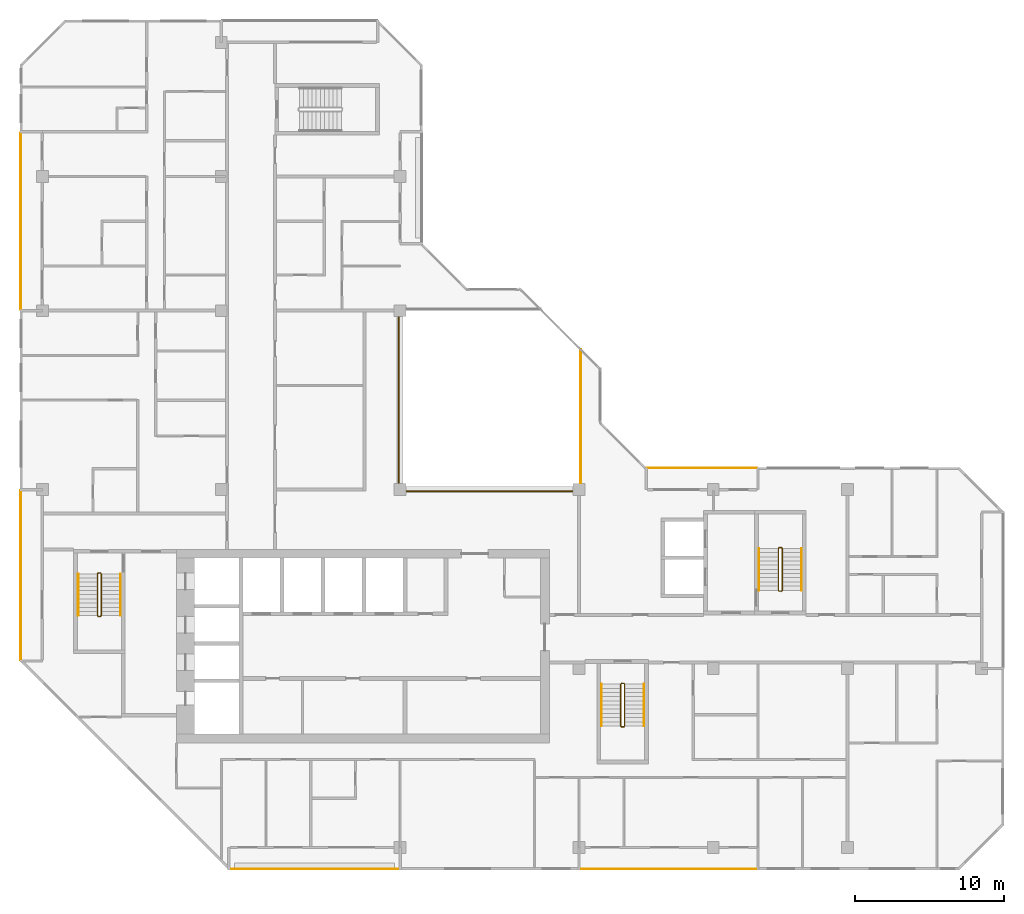
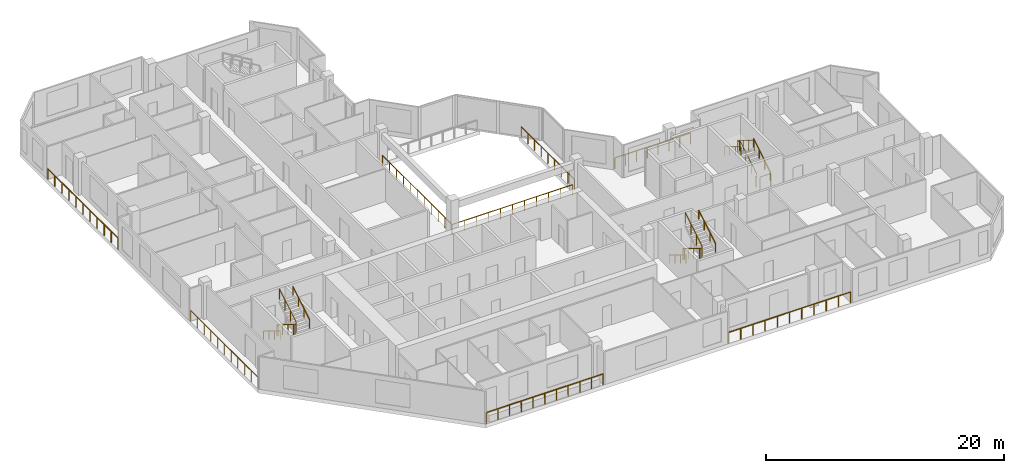
# One storey, part 12 of 13: 16 railings.
"""IFC4 building model written with IfcOpenShell, lengths in metres."""

from ifc_helpers import new_model, si_unit, direction, frame, origin, origin_2d, place, context, subcontext, project, spatial, rectangle, extrude, material, type_object, element, save


model = new_model("IFC4")

# Units and contexts
model_context = context("Model", 3, precision=1e-05, world=origin(), true_north=direction((0.0, 1.0)))
body_context = subcontext(model_context, "Body", "Model", "MODEL_VIEW")
ifc_project = project(units=[si_unit("LENGTHUNIT", "METRE"), si_unit("AREAUNIT", "SQUARE_METRE"), si_unit("VOLUMEUNIT", "CUBIC_METRE"), si_unit("PLANEANGLEUNIT", "RADIAN"), si_unit("MASSUNIT", "GRAM", prefix="KILO")], contexts=[model_context])

# Site, building, storey
site_placement = place(None, origin())
site = spatial("IfcSite", under=ifc_project, at=site_placement, CompositionType="ELEMENT")
building_placement = place(site_placement, origin())
building = spatial("IfcBuilding", under=site, at=building_placement, Name="Chenar Terraces", CompositionType="ELEMENT")
storey_placement = place(building_placement, frame((0.0, 0.0, 314.64990234375)))
storey = spatial("IfcBuildingStorey", under=building, at=storey_placement, Name="L74", CompositionType="ELEMENT", Elevation=314.64990234375)

# Railings
ifc_material_1 = material(Name="Powder-coated steel", Category="steel")
railing_type_1 = type_object("IfcRailingType", Name="Guard 1100 steel rail with glass infill", PredefinedType="GUARDRAIL", material=ifc_material_1)
railing_1_placement = place(storey_placement, frame((23.89990234375, 35.60009765625, 0.0)))
element("IfcRailing", 1, at=railing_1_placement, inside=storey, type_object=railing_type_1, Name="Guard L74-1", PredefinedType="GUARDRAIL", context=body_context, shape_type="SweptSolid", body=[
    extrude(rectangle(XDim=0.06005859375, YDim=0.06005859375, at=origin_2d()), frame((0.0, 0.0, 1.070068359375), z_axis=(0.0, -1.0, 0.0), x_axis=(1.0, 0.0, 0.0)), (0.0, 0.0, 1.0), 11.7001953125),
    extrude(rectangle(XDim=0.06005859375, YDim=0.06005859375, at=origin_2d()), frame((0.0, -11.7001953125, 1.070068359375), z_axis=(1.0, 0.0, 0.0), x_axis=(0.0, 1.0, 0.0)), (0.0, 0.0, 1.0), 11.7001953125),
    extrude(rectangle(XDim=0.050048828125, YDim=0.050048828125, at=origin_2d()), origin(), (0.0, 0.0, 1.0), 1.0400390625),
    extrude(rectangle(XDim=0.050048828125, YDim=0.050048828125, at=origin_2d()), frame((0.0, -1.169921875, 0.0)), (0.0, 0.0, 1.0), 1.0400390625),
    extrude(rectangle(XDim=0.050048828125, YDim=0.050048828125, at=origin_2d()), frame((0.0, -2.340087890625, 0.0)), (0.0, 0.0, 1.0), 1.0400390625),
    extrude(rectangle(XDim=0.050048828125, YDim=0.050048828125, at=origin_2d()), frame((0.0, -3.510009765625, 0.0)), (0.0, 0.0, 1.0), 1.0400390625),
    extrude(rectangle(XDim=0.050048828125, YDim=0.050048828125, at=origin_2d()), frame((0.0, -4.68017578125, 0.0)), (0.0, 0.0, 1.0), 1.0400390625),
    extrude(rectangle(XDim=0.050048828125, YDim=0.050048828125, at=origin_2d()), frame((0.0, -5.85009765625, 0.0)), (0.0, 0.0, 1.0), 1.0400390625),
    extrude(rectangle(XDim=0.050048828125, YDim=0.050048828125, at=origin_2d()), frame((0.0, -7.02001953125, 0.0)), (0.0, 0.0, 1.0), 1.0400390625),
    extrude(rectangle(XDim=0.050048828125, YDim=0.050048828125, at=origin_2d()), frame((0.0, -8.190185546875, 0.0)), (0.0, 0.0, 1.0), 1.0400390625),
    extrude(rectangle(XDim=0.050048828125, YDim=0.050048828125, at=origin_2d()), frame((0.0, -9.360107421875, 0.0)), (0.0, 0.0, 1.0), 1.0400390625),
    extrude(rectangle(XDim=0.050048828125, YDim=0.050048828125, at=origin_2d()), frame((0.0, -10.5302734375, 0.0)), (0.0, 0.0, 1.0), 1.0400390625),
    extrude(rectangle(XDim=0.050048828125, YDim=0.050048828125, at=origin_2d()), frame((0.0, -11.7001953125, 0.0)), (0.0, 0.0, 1.0), 1.0400390625),
    extrude(rectangle(XDim=0.050048828125, YDim=0.050048828125, at=origin_2d()), frame((1.169921875, -11.7001953125, 0.0)), (0.0, 0.0, 1.0), 1.0400390625),
    extrude(rectangle(XDim=0.050048828125, YDim=0.050048828125, at=origin_2d()), frame((2.340087890625, -11.7001953125, 0.0)), (0.0, 0.0, 1.0), 1.0400390625),
    extrude(rectangle(XDim=0.050048828125, YDim=0.050048828125, at=origin_2d()), frame((3.510009765625, -11.7001953125, 0.0)), (0.0, 0.0, 1.0), 1.0400390625),
    extrude(rectangle(XDim=0.050048828125, YDim=0.050048828125, at=origin_2d()), frame((4.68017578125, -11.7001953125, 0.0)), (0.0, 0.0, 1.0), 1.0400390625),
    extrude(rectangle(XDim=0.050048828125, YDim=0.050048828125, at=origin_2d()), frame((5.85009765625, -11.7001953125, 0.0)), (0.0, 0.0, 1.0), 1.0400390625),
    extrude(rectangle(XDim=0.050048828125, YDim=0.050048828125, at=origin_2d()), frame((7.02001953125, -11.7001953125, 0.0)), (0.0, 0.0, 1.0), 1.0400390625),
    extrude(rectangle(XDim=0.050048828125, YDim=0.050048828125, at=origin_2d()), frame((8.190185546875, -11.7001953125, 0.0)), (0.0, 0.0, 1.0), 1.0400390625),
    extrude(rectangle(XDim=0.050048828125, YDim=0.050048828125, at=origin_2d()), frame((9.360107421875, -11.7001953125, 0.0)), (0.0, 0.0, 1.0), 1.0400390625),
    extrude(rectangle(XDim=0.050048828125, YDim=0.050048828125, at=origin_2d()), frame((10.5302734375, -11.7001953125, 0.0)), (0.0, 0.0, 1.0), 1.0400390625),
    extrude(rectangle(XDim=0.050048828125, YDim=0.050048828125, at=origin_2d()), frame((11.7001953125, -11.7001953125, 0.0)), (0.0, 0.0, 1.0), 1.0400390625),
])
railing_2_placement = place(storey_placement, frame((36.10009765625, 24.449951171875, 0.0)))
element("IfcRailing", 2, at=railing_2_placement, inside=storey, type_object=railing_type_1, Name="Guard L74-3", PredefinedType="GUARDRAIL", context=body_context, shape_type="SweptSolid", body=[
    extrude(rectangle(XDim=0.06005859375, YDim=0.06005859375, at=origin_2d()), frame((0.0, 0.0, 1.070068359375), z_axis=(0.0, 1.0, 0.0), x_axis=(-1.0, 0.0, 0.0)), (0.0, 0.0, 1.0), 8.949951171875),
    extrude(rectangle(XDim=0.050048828125, YDim=0.050048828125, at=origin_2d()), origin(), (0.0, 0.0, 1.0), 1.0400390625),
    extrude(rectangle(XDim=0.050048828125, YDim=0.050048828125, at=origin_2d()), frame((0.0, 1.11865234375, 0.0)), (0.0, 0.0, 1.0), 1.0400390625),
    extrude(rectangle(XDim=0.050048828125, YDim=0.050048828125, at=origin_2d()), frame((0.0, 2.237548828125, 0.0)), (0.0, 0.0, 1.0), 1.0400390625),
    extrude(rectangle(XDim=0.050048828125, YDim=0.050048828125, at=origin_2d()), frame((0.0, 3.356201171875, 0.0)), (0.0, 0.0, 1.0), 1.0400390625),
    extrude(rectangle(XDim=0.050048828125, YDim=0.050048828125, at=origin_2d()), frame((0.0, 4.47509765625, 0.0)), (0.0, 0.0, 1.0), 1.0400390625),
    extrude(rectangle(XDim=0.050048828125, YDim=0.050048828125, at=origin_2d()), frame((0.0, 5.59375, 0.0)), (0.0, 0.0, 1.0), 1.0400390625),
    extrude(rectangle(XDim=0.050048828125, YDim=0.050048828125, at=origin_2d()), frame((0.0, 6.71240234375, 0.0)), (0.0, 0.0, 1.0), 1.0400390625),
    extrude(rectangle(XDim=0.050048828125, YDim=0.050048828125, at=origin_2d()), frame((0.0, 7.831298828125, 0.0)), (0.0, 0.0, 1.0), 1.0400390625),
    extrude(rectangle(XDim=0.050048828125, YDim=0.050048828125, at=origin_2d()), frame((0.0, 8.949951171875, 0.0)), (0.0, 0.0, 1.0), 1.0400390625),
])
ifc_material_2 = material(Name="Stainless steel and glass", Category="steel")
railing_type_2 = type_object("IfcRailingType", Name="Loggia guard 1150", PredefinedType="GUARDRAIL", material=ifc_material_2)
railing_3_placement = place(storey_placement, frame((47.925048828125, 25.449951171875, 0.0)))
element("IfcRailing", 3, at=railing_3_placement, inside=storey, type_object=railing_type_2, Name="Loggia guard", PredefinedType="GUARDRAIL", context=body_context, shape_type="SweptSolid", body=[
    extrude(rectangle(XDim=0.048095703125, YDim=0.048095703125, at=origin_2d()), frame((0.0, 0.0, 1.1259765625), z_axis=(-1.0, 0.0, 0.0), x_axis=(0.0, -1.0, 0.0)), (0.0, 0.0, 1.0), 7.35009765625),
    extrude(rectangle(XDim=0.0419921875, YDim=0.0419921875, at=origin_2d()), origin(), (0.0, 0.0, 1.0), 1.101806640625),
    extrude(rectangle(XDim=0.0419921875, YDim=0.0419921875, at=origin_2d()), frame((-1.050048828125, 0.0, 0.0)), (0.0, 0.0, 1.0), 1.101806640625),
    extrude(rectangle(XDim=0.0419921875, YDim=0.0419921875, at=origin_2d()), frame((-2.10009765625, 0.0, 0.0)), (0.0, 0.0, 1.0), 1.101806640625),
    extrude(rectangle(XDim=0.0419921875, YDim=0.0419921875, at=origin_2d()), frame((-3.150146484375, 0.0, 0.0)), (0.0, 0.0, 1.0), 1.101806640625),
    extrude(rectangle(XDim=0.0419921875, YDim=0.0419921875, at=origin_2d()), frame((-4.199951171875, 0.0, 0.0)), (0.0, 0.0, 1.0), 1.101806640625),
    extrude(rectangle(XDim=0.0419921875, YDim=0.0419921875, at=origin_2d()), frame((-5.25, 0.0, 0.0)), (0.0, 0.0, 1.0), 1.101806640625),
    extrude(rectangle(XDim=0.0419921875, YDim=0.0419921875, at=origin_2d()), frame((-6.300048828125, 0.0, 0.0)), (0.0, 0.0, 1.0), 1.101806640625),
    extrude(rectangle(XDim=0.0419921875, YDim=0.0419921875, at=origin_2d()), frame((-7.35009765625, 0.0, 0.0)), (0.0, 0.0, 1.0), 1.101806640625),
])
railing_4_placement = place(storey_placement, frame((12.574951171875, -1.449951171875, 0.0)))
element("IfcRailing", 4, at=railing_4_placement, inside=storey, type_object=railing_type_2, Name="Loggia guard", PredefinedType="GUARDRAIL", context=body_context, shape_type="SweptSolid", body=[
    extrude(rectangle(XDim=0.048095703125, YDim=0.048095703125, at=origin_2d()), frame((0.0, 0.0, 1.1259765625), z_axis=(1.0, 0.0, 0.0), x_axis=(0.0, 1.0, 0.0)), (0.0, 0.0, 1.0), 11.35009765625),
    extrude(rectangle(XDim=0.0419921875, YDim=0.0419921875, at=origin_2d()), origin(), (0.0, 0.0, 1.0), 1.101806640625),
    extrude(rectangle(XDim=0.0419921875, YDim=0.0419921875, at=origin_2d()), frame((1.135009765625, 0.0, 0.0)), (0.0, 0.0, 1.0), 1.101806640625),
    extrude(rectangle(XDim=0.0419921875, YDim=0.0419921875, at=origin_2d()), frame((2.27001953125, 0.0, 0.0)), (0.0, 0.0, 1.0), 1.101806640625),
    extrude(rectangle(XDim=0.0419921875, YDim=0.0419921875, at=origin_2d()), frame((3.405029296875, 0.0, 0.0)), (0.0, 0.0, 1.0), 1.101806640625),
    extrude(rectangle(XDim=0.0419921875, YDim=0.0419921875, at=origin_2d()), frame((4.5400390625, 0.0, 0.0)), (0.0, 0.0, 1.0), 1.101806640625),
    extrude(rectangle(XDim=0.0419921875, YDim=0.0419921875, at=origin_2d()), frame((5.675048828125, 0.0, 0.0)), (0.0, 0.0, 1.0), 1.101806640625),
    extrude(rectangle(XDim=0.0419921875, YDim=0.0419921875, at=origin_2d()), frame((6.81005859375, 0.0, 0.0)), (0.0, 0.0, 1.0), 1.101806640625),
    extrude(rectangle(XDim=0.0419921875, YDim=0.0419921875, at=origin_2d()), frame((7.945068359375, 0.0, 0.0)), (0.0, 0.0, 1.0), 1.101806640625),
    extrude(rectangle(XDim=0.0419921875, YDim=0.0419921875, at=origin_2d()), frame((9.080078125, 0.0, 0.0)), (0.0, 0.0, 1.0), 1.101806640625),
    extrude(rectangle(XDim=0.0419921875, YDim=0.0419921875, at=origin_2d()), frame((10.215087890625, 0.0, 0.0)), (0.0, 0.0, 1.0), 1.101806640625),
    extrude(rectangle(XDim=0.0419921875, YDim=0.0419921875, at=origin_2d()), frame((11.35009765625, 0.0, 0.0)), (0.0, 0.0, 1.0), 1.101806640625),
])
railing_5_placement = place(storey_placement, frame((36.074951171875, -1.449951171875, 0.0)))
element("IfcRailing", 5, at=railing_5_placement, inside=storey, type_object=railing_type_2, Name="Loggia guard", PredefinedType="GUARDRAIL", context=body_context, shape_type="SweptSolid", body=[
    extrude(rectangle(XDim=0.048095703125, YDim=0.048095703125, at=origin_2d()), frame((0.0, 0.0, 1.1259765625), z_axis=(1.0, 0.0, 0.0), x_axis=(0.0, 1.0, 0.0)), (0.0, 0.0, 1.0), 11.85009765625),
    extrude(rectangle(XDim=0.0419921875, YDim=0.0419921875, at=origin_2d()), origin(), (0.0, 0.0, 1.0), 1.101806640625),
    extrude(rectangle(XDim=0.0419921875, YDim=0.0419921875, at=origin_2d()), frame((1.18505859375, 0.0, 0.0)), (0.0, 0.0, 1.0), 1.101806640625),
    extrude(rectangle(XDim=0.0419921875, YDim=0.0419921875, at=origin_2d()), frame((2.3701171875, 0.0, 0.0)), (0.0, 0.0, 1.0), 1.101806640625),
    extrude(rectangle(XDim=0.0419921875, YDim=0.0419921875, at=origin_2d()), frame((3.554931640625, 0.0, 0.0)), (0.0, 0.0, 1.0), 1.101806640625),
    extrude(rectangle(XDim=0.0419921875, YDim=0.0419921875, at=origin_2d()), frame((4.739990234375, 0.0, 0.0)), (0.0, 0.0, 1.0), 1.101806640625),
    extrude(rectangle(XDim=0.0419921875, YDim=0.0419921875, at=origin_2d()), frame((5.925048828125, 0.0, 0.0)), (0.0, 0.0, 1.0), 1.101806640625),
    extrude(rectangle(XDim=0.0419921875, YDim=0.0419921875, at=origin_2d()), frame((7.110107421875, 0.0, 0.0)), (0.0, 0.0, 1.0), 1.101806640625),
    extrude(rectangle(XDim=0.0419921875, YDim=0.0419921875, at=origin_2d()), frame((8.295166015625, 0.0, 0.0)), (0.0, 0.0, 1.0), 1.101806640625),
    extrude(rectangle(XDim=0.0419921875, YDim=0.0419921875, at=origin_2d()), frame((9.47998046875, 0.0, 0.0)), (0.0, 0.0, 1.0), 1.101806640625),
    extrude(rectangle(XDim=0.0419921875, YDim=0.0419921875, at=origin_2d()), frame((10.6650390625, 0.0, 0.0)), (0.0, 0.0, 1.0), 1.101806640625),
    extrude(rectangle(XDim=0.0419921875, YDim=0.0419921875, at=origin_2d()), frame((11.85009765625, 0.0, 0.0)), (0.0, 0.0, 1.0), 1.101806640625),
])
railing_6_placement = place(storey_placement, frame((-1.449951171875, 47.925048828125, 0.0)))
element("IfcRailing", 6, at=railing_6_placement, inside=storey, type_object=railing_type_2, Name="Loggia guard", PredefinedType="GUARDRAIL", context=body_context, shape_type="SweptSolid", body=[
    extrude(rectangle(XDim=0.048095703125, YDim=0.048095703125, at=origin_2d()), frame((0.0, 0.0, 1.1259765625), z_axis=(0.0, -1.0, 0.0), x_axis=(1.0, 0.0, 0.0)), (0.0, 0.0, 1.0), 11.85009765625),
    extrude(rectangle(XDim=0.0419921875, YDim=0.0419921875, at=origin_2d()), origin(), (0.0, 0.0, 1.0), 1.101806640625),
    extrude(rectangle(XDim=0.0419921875, YDim=0.0419921875, at=origin_2d()), frame((0.0, -1.18505859375, 0.0)), (0.0, 0.0, 1.0), 1.101806640625),
    extrude(rectangle(XDim=0.0419921875, YDim=0.0419921875, at=origin_2d()), frame((0.0, -2.3701171875, 0.0)), (0.0, 0.0, 1.0), 1.101806640625),
    extrude(rectangle(XDim=0.0419921875, YDim=0.0419921875, at=origin_2d()), frame((0.0, -3.554931640625, 0.0)), (0.0, 0.0, 1.0), 1.101806640625),
    extrude(rectangle(XDim=0.0419921875, YDim=0.0419921875, at=origin_2d()), frame((0.0, -4.739990234375, 0.0)), (0.0, 0.0, 1.0), 1.101806640625),
    extrude(rectangle(XDim=0.0419921875, YDim=0.0419921875, at=origin_2d()), frame((0.0, -5.925048828125, 0.0)), (0.0, 0.0, 1.0), 1.101806640625),
    extrude(rectangle(XDim=0.0419921875, YDim=0.0419921875, at=origin_2d()), frame((0.0, -7.110107421875, 0.0)), (0.0, 0.0, 1.0), 1.101806640625),
    extrude(rectangle(XDim=0.0419921875, YDim=0.0419921875, at=origin_2d()), frame((0.0, -8.295166015625, 0.0)), (0.0, 0.0, 1.0), 1.101806640625),
    extrude(rectangle(XDim=0.0419921875, YDim=0.0419921875, at=origin_2d()), frame((0.0, -9.47998046875, 0.0)), (0.0, 0.0, 1.0), 1.101806640625),
    extrude(rectangle(XDim=0.0419921875, YDim=0.0419921875, at=origin_2d()), frame((0.0, -10.6650390625, 0.0)), (0.0, 0.0, 1.0), 1.101806640625),
    extrude(rectangle(XDim=0.0419921875, YDim=0.0419921875, at=origin_2d()), frame((0.0, -11.85009765625, 0.0)), (0.0, 0.0, 1.0), 1.101806640625),
])
railing_7_placement = place(storey_placement, frame((-1.449951171875, 23.925048828125, 0.0)))
element("IfcRailing", 7, at=railing_7_placement, inside=storey, type_object=railing_type_2, Name="Loggia guard", PredefinedType="GUARDRAIL", context=body_context, shape_type="SweptSolid", body=[
    extrude(rectangle(XDim=0.048095703125, YDim=0.048095703125, at=origin_2d()), frame((0.0, 0.0, 1.1259765625), z_axis=(0.0, -1.0, 0.0), x_axis=(1.0, 0.0, 0.0)), (0.0, 0.0, 1.0), 11.35009765625),
    extrude(rectangle(XDim=0.0419921875, YDim=0.0419921875, at=origin_2d()), origin(), (0.0, 0.0, 1.0), 1.101806640625),
    extrude(rectangle(XDim=0.0419921875, YDim=0.0419921875, at=origin_2d()), frame((0.0, -1.135009765625, 0.0)), (0.0, 0.0, 1.0), 1.101806640625),
    extrude(rectangle(XDim=0.0419921875, YDim=0.0419921875, at=origin_2d()), frame((0.0, -2.27001953125, 0.0)), (0.0, 0.0, 1.0), 1.101806640625),
    extrude(rectangle(XDim=0.0419921875, YDim=0.0419921875, at=origin_2d()), frame((0.0, -3.405029296875, 0.0)), (0.0, 0.0, 1.0), 1.101806640625),
    extrude(rectangle(XDim=0.0419921875, YDim=0.0419921875, at=origin_2d()), frame((0.0, -4.5400390625, 0.0)), (0.0, 0.0, 1.0), 1.101806640625),
    extrude(rectangle(XDim=0.0419921875, YDim=0.0419921875, at=origin_2d()), frame((0.0, -5.675048828125, 0.0)), (0.0, 0.0, 1.0), 1.101806640625),
    extrude(rectangle(XDim=0.0419921875, YDim=0.0419921875, at=origin_2d()), frame((0.0, -6.81005859375, 0.0)), (0.0, 0.0, 1.0), 1.101806640625),
    extrude(rectangle(XDim=0.0419921875, YDim=0.0419921875, at=origin_2d()), frame((0.0, -7.945068359375, 0.0)), (0.0, 0.0, 1.0), 1.101806640625),
    extrude(rectangle(XDim=0.0419921875, YDim=0.0419921875, at=origin_2d()), frame((0.0, -9.080078125, 0.0)), (0.0, 0.0, 1.0), 1.101806640625),
    extrude(rectangle(XDim=0.0419921875, YDim=0.0419921875, at=origin_2d()), frame((0.0, -10.215087890625, 0.0)), (0.0, 0.0, 1.0), 1.101806640625),
    extrude(rectangle(XDim=0.0419921875, YDim=0.0419921875, at=origin_2d()), frame((0.0, -11.35009765625, 0.0)), (0.0, 0.0, 1.0), 1.101806640625),
])
ifc_material_3 = material(Name="Powder-coated steel", Category="steel")
railing_type_3 = type_object("IfcRailingType", Name="Stair guard 1100", PredefinedType="GUARDRAIL", material=ifc_material_3)
railing_8_placement = place(storey_placement, frame((3.949951171875, 18.35009765625, 3.75)))
element("IfcRailing", 8, at=railing_8_placement, inside=storey, type_object=railing_type_3, Name="L74 ST1 stair guard 1", PredefinedType="GUARDRAIL", context=body_context, shape_type="SweptSolid", body=[
    extrude(rectangle(XDim=0.048095703125, YDim=0.048095703125, at=origin_2d()), frame((0.0, 0.0, 1.076171875), z_axis=(0.0, -0.854202870247, -0.519939858505), x_axis=(1.0, 0.0, 0.0)), (0.0, 0.0, 1.0), 3.278076171875),
    extrude(rectangle(XDim=0.048095703125, YDim=0.048095703125, at=origin_2d()), frame((0.0, -2.800048828125, -0.62841796875), z_axis=(-0.270899902878, -0.270899902878, -0.923702595667), x_axis=(0.707106781187, -0.707106781187, 0.0)), (0.0, 0.0, 1.0), 0.184814453125),
    extrude(rectangle(XDim=0.048095703125, YDim=0.048095703125, at=origin_2d()), frame((-0.050048828125, -2.85009765625, -0.798828125), z_axis=(-1.0, 0.0, 0.0), x_axis=(0.0, -1.0, 0.0)), (0.0, 0.0, 1.0), 0.14990234375),
    extrude(rectangle(XDim=0.048095703125, YDim=0.048095703125, at=origin_2d()), frame((-0.199951171875, -2.85009765625, -0.798828125), z_axis=(-0.707106781187, 0.707106781187, 0.0), x_axis=(-0.707106781187, -0.707106781187, 0.0)), (0.0, 0.0, 1.0), 0.07080078125),
    extrude(rectangle(XDim=0.048095703125, YDim=0.048095703125, at=origin_2d()), frame((-0.25, -2.800048828125, -0.798828125), z_axis=(0.0, 0.854202870247, -0.519939858505), x_axis=(-1.0, 0.0, 0.0)), (0.0, 0.0, 1.0), 3.278076171875),
    extrude(rectangle(XDim=0.048095703125, YDim=0.048095703125, at=origin_2d()), frame((-0.25, 0.0, -2.50341796875), z_axis=(0.270996696079, 0.269674760976, -0.924032636873), x_axis=(-0.705375805398, 0.708833529934, 0.0)), (0.0, 0.0, 1.0), 0.1845703125),
    extrude(rectangle(XDim=0.048095703125, YDim=0.048095703125, at=origin_2d()), frame((-0.199951171875, 0.0498046875, -2.673828125), z_axis=(1.0, 0.0, 0.0), x_axis=(0.0, 1.0, 0.0)), (0.0, 0.0, 1.0), 0.14990234375),
    extrude(rectangle(XDim=0.0419921875, YDim=0.0419921875, at=origin_2d()), origin(), (0.0, 0.0, 1.0), 1.052001953125),
    extrude(rectangle(XDim=0.0419921875, YDim=0.0419921875, at=origin_2d()), frame((0.0, -0.933349609375, -0.568115234375)), (0.0, 0.0, 1.0), 1.052001953125),
    extrude(rectangle(XDim=0.0419921875, YDim=0.0419921875, at=origin_2d()), frame((0.0, -1.86669921875, -1.13623046875)), (0.0, 0.0, 1.0), 1.052001953125),
    extrude(rectangle(XDim=0.0419921875, YDim=0.0419921875, at=origin_2d()), frame((0.0, -2.800048828125, -1.704345703125)), (0.0, 0.0, 1.0), 1.052001953125),
    extrude(rectangle(XDim=0.0419921875, YDim=0.0419921875, at=origin_2d()), frame((-0.050048828125, -2.85009765625, -1.875)), (0.0, 0.0, 1.0), 1.052001953125),
    extrude(rectangle(XDim=0.0419921875, YDim=0.0419921875, at=origin_2d()), frame((-0.199951171875, -2.85009765625, -1.875)), (0.0, 0.0, 1.0), 1.052001953125),
    extrude(rectangle(XDim=0.0419921875, YDim=0.0419921875, at=origin_2d()), frame((-0.25, -2.800048828125, -1.875)), (0.0, 0.0, 1.0), 1.052001953125),
    extrude(rectangle(XDim=0.0419921875, YDim=0.0419921875, at=origin_2d()), frame((-0.25, -1.86669921875, -2.443115234375)), (0.0, 0.0, 1.0), 1.052001953125),
    extrude(rectangle(XDim=0.0419921875, YDim=0.0419921875, at=origin_2d()), frame((-0.25, -0.933349609375, -3.01123046875)), (0.0, 0.0, 1.0), 1.052001953125),
    extrude(rectangle(XDim=0.0419921875, YDim=0.0419921875, at=origin_2d()), frame((-0.25, 0.0, -3.579345703125)), (0.0, 0.0, 1.0), 1.052001953125),
    extrude(rectangle(XDim=0.0419921875, YDim=0.0419921875, at=origin_2d()), frame((-0.199951171875, 0.0498046875, -3.75)), (0.0, 0.0, 1.0), 1.052001953125),
    extrude(rectangle(XDim=0.0419921875, YDim=0.0419921875, at=origin_2d()), frame((-0.050048828125, 0.0498046875, -3.75)), (0.0, 0.0, 1.0), 1.052001953125),
])
railing_9_placement = place(storey_placement, frame((39.050048828125, 10.949951171875, 3.75)))
element("IfcRailing", 9, at=railing_9_placement, inside=storey, type_object=railing_type_3, Name="L74 ST2 stair guard 1", PredefinedType="GUARDRAIL", context=body_context, shape_type="SweptSolid", body=[
    extrude(rectangle(XDim=0.048095703125, YDim=0.048095703125, at=origin_2d()), frame((0.0, 0.0, 1.076171875), z_axis=(0.0, -0.854202870247, -0.519939858505), x_axis=(1.0, 0.0, 0.0)), (0.0, 0.0, 1.0), 3.278076171875),
    extrude(rectangle(XDim=0.048095703125, YDim=0.048095703125, at=origin_2d()), frame((0.0, -2.800048828125, -0.62841796875), z_axis=(-0.270996696079, -0.269674760976, -0.924032636873), x_axis=(0.705375805398, -0.708833529934, 0.0)), (0.0, 0.0, 1.0), 0.1845703125),
    extrude(rectangle(XDim=0.048095703125, YDim=0.048095703125, at=origin_2d()), frame((-0.050048828125, -2.849853515625, -0.798828125), z_axis=(-1.0, 0.0, 0.0), x_axis=(0.0, -1.0, 0.0)), (0.0, 0.0, 1.0), 0.14990234375),
    extrude(rectangle(XDim=0.048095703125, YDim=0.048095703125, at=origin_2d()), frame((-0.199951171875, -2.849853515625, -0.798828125), z_axis=(-0.708833529934, 0.705375805398, 0.0), x_axis=(-0.705375805398, -0.708833529934, 0.0)), (0.0, 0.0, 1.0), 0.070556640625),
    extrude(rectangle(XDim=0.048095703125, YDim=0.048095703125, at=origin_2d()), frame((-0.25, -2.800048828125, -0.798828125), z_axis=(0.0, 0.854202870247, -0.519939858505), x_axis=(-1.0, 0.0, 0.0)), (0.0, 0.0, 1.0), 3.278076171875),
    extrude(rectangle(XDim=0.048095703125, YDim=0.048095703125, at=origin_2d()), frame((-0.25, 0.0, -2.50341796875), z_axis=(0.270899902878, 0.270899902878, -0.923702595667), x_axis=(-0.707106781187, 0.707106781187, 0.0)), (0.0, 0.0, 1.0), 0.184814453125),
    extrude(rectangle(XDim=0.048095703125, YDim=0.048095703125, at=origin_2d()), frame((-0.199951171875, 0.050048828125, -2.673828125), z_axis=(1.0, 0.0, 0.0), x_axis=(0.0, 1.0, 0.0)), (0.0, 0.0, 1.0), 0.14990234375),
    extrude(rectangle(XDim=0.0419921875, YDim=0.0419921875, at=origin_2d()), origin(), (0.0, 0.0, 1.0), 1.052001953125),
    extrude(rectangle(XDim=0.0419921875, YDim=0.0419921875, at=origin_2d()), frame((0.0, -0.933349609375, -0.568115234375)), (0.0, 0.0, 1.0), 1.052001953125),
    extrude(rectangle(XDim=0.0419921875, YDim=0.0419921875, at=origin_2d()), frame((0.0, -1.86669921875, -1.13623046875)), (0.0, 0.0, 1.0), 1.052001953125),
    extrude(rectangle(XDim=0.0419921875, YDim=0.0419921875, at=origin_2d()), frame((0.0, -2.800048828125, -1.704345703125)), (0.0, 0.0, 1.0), 1.052001953125),
    extrude(rectangle(XDim=0.0419921875, YDim=0.0419921875, at=origin_2d()), frame((-0.050048828125, -2.849853515625, -1.875)), (0.0, 0.0, 1.0), 1.052001953125),
    extrude(rectangle(XDim=0.0419921875, YDim=0.0419921875, at=origin_2d()), frame((-0.199951171875, -2.849853515625, -1.875)), (0.0, 0.0, 1.0), 1.052001953125),
    extrude(rectangle(XDim=0.0419921875, YDim=0.0419921875, at=origin_2d()), frame((-0.25, -2.800048828125, -1.875)), (0.0, 0.0, 1.0), 1.052001953125),
    extrude(rectangle(XDim=0.0419921875, YDim=0.0419921875, at=origin_2d()), frame((-0.25, -1.86669921875, -2.443115234375)), (0.0, 0.0, 1.0), 1.052001953125),
    extrude(rectangle(XDim=0.0419921875, YDim=0.0419921875, at=origin_2d()), frame((-0.25, -0.933349609375, -3.01123046875)), (0.0, 0.0, 1.0), 1.052001953125),
    extrude(rectangle(XDim=0.0419921875, YDim=0.0419921875, at=origin_2d()), frame((-0.25, 0.0, -3.579345703125)), (0.0, 0.0, 1.0), 1.052001953125),
    extrude(rectangle(XDim=0.0419921875, YDim=0.0419921875, at=origin_2d()), frame((-0.199951171875, 0.050048828125, -3.75)), (0.0, 0.0, 1.0), 1.052001953125),
    extrude(rectangle(XDim=0.0419921875, YDim=0.0419921875, at=origin_2d()), frame((-0.050048828125, 0.050048828125, -3.75)), (0.0, 0.0, 1.0), 1.052001953125),
])
railing_10_placement = place(storey_placement, frame((49.375, 17.25, 3.75)))
element("IfcRailing", 10, at=railing_10_placement, inside=storey, type_object=railing_type_3, Name="L74 ST3 stair guard 1", PredefinedType="GUARDRAIL", context=body_context, shape_type="SweptSolid", body=[
    extrude(rectangle(XDim=0.048095703125, YDim=0.048095703125, at=origin_2d()), frame((0.0, 0.0, 1.076171875), z_axis=(0.0, 0.854202870247, -0.519939858505), x_axis=(-1.0, 0.0, 0.0)), (0.0, 0.0, 1.0), 3.278076171875),
    extrude(rectangle(XDim=0.048095703125, YDim=0.048095703125, at=origin_2d()), frame((0.0, 2.800048828125, -0.62841796875), z_axis=(0.270899902878, 0.270899902878, -0.923702595667), x_axis=(-0.707106781187, 0.707106781187, 0.0)), (0.0, 0.0, 1.0), 0.184814453125),
    extrude(rectangle(XDim=0.048095703125, YDim=0.048095703125, at=origin_2d()), frame((0.050048828125, 2.85009765625, -0.798828125), z_axis=(1.0, 0.0, 0.0), x_axis=(0.0, 1.0, 0.0)), (0.0, 0.0, 1.0), 0.14990234375),
    extrude(rectangle(XDim=0.048095703125, YDim=0.048095703125, at=origin_2d()), frame((0.199951171875, 2.85009765625, -0.798828125), z_axis=(0.707106781187, -0.707106781187, 0.0), x_axis=(0.707106781187, 0.707106781187, 0.0)), (0.0, 0.0, 1.0), 0.07080078125),
    extrude(rectangle(XDim=0.048095703125, YDim=0.048095703125, at=origin_2d()), frame((0.25, 2.800048828125, -0.798828125), z_axis=(0.0, -0.854202870247, -0.519939858505), x_axis=(1.0, 0.0, 0.0)), (0.0, 0.0, 1.0), 3.278076171875),
    extrude(rectangle(XDim=0.048095703125, YDim=0.048095703125, at=origin_2d()), frame((0.25, 0.0, -2.50341796875), z_axis=(-0.270899902878, -0.270899902878, -0.923702595667), x_axis=(0.707106781187, -0.707106781187, 0.0)), (0.0, 0.0, 1.0), 0.184814453125),
    extrude(rectangle(XDim=0.048095703125, YDim=0.048095703125, at=origin_2d()), frame((0.199951171875, -0.050048828125, -2.673828125), z_axis=(-1.0, 0.0, 0.0), x_axis=(0.0, -1.0, 0.0)), (0.0, 0.0, 1.0), 0.14990234375),
    extrude(rectangle(XDim=0.0419921875, YDim=0.0419921875, at=origin_2d()), origin(), (0.0, 0.0, 1.0), 1.052001953125),
    extrude(rectangle(XDim=0.0419921875, YDim=0.0419921875, at=origin_2d()), frame((0.0, 0.933349609375, -0.568115234375)), (0.0, 0.0, 1.0), 1.052001953125),
    extrude(rectangle(XDim=0.0419921875, YDim=0.0419921875, at=origin_2d()), frame((0.0, 1.86669921875, -1.13623046875)), (0.0, 0.0, 1.0), 1.052001953125),
    extrude(rectangle(XDim=0.0419921875, YDim=0.0419921875, at=origin_2d()), frame((0.0, 2.800048828125, -1.704345703125)), (0.0, 0.0, 1.0), 1.052001953125),
    extrude(rectangle(XDim=0.0419921875, YDim=0.0419921875, at=origin_2d()), frame((0.050048828125, 2.85009765625, -1.875)), (0.0, 0.0, 1.0), 1.052001953125),
    extrude(rectangle(XDim=0.0419921875, YDim=0.0419921875, at=origin_2d()), frame((0.199951171875, 2.85009765625, -1.875)), (0.0, 0.0, 1.0), 1.052001953125),
    extrude(rectangle(XDim=0.0419921875, YDim=0.0419921875, at=origin_2d()), frame((0.25, 2.800048828125, -1.875)), (0.0, 0.0, 1.0), 1.052001953125),
    extrude(rectangle(XDim=0.0419921875, YDim=0.0419921875, at=origin_2d()), frame((0.25, 1.86669921875, -2.443115234375)), (0.0, 0.0, 1.0), 1.052001953125),
    extrude(rectangle(XDim=0.0419921875, YDim=0.0419921875, at=origin_2d()), frame((0.25, 0.933349609375, -3.01123046875)), (0.0, 0.0, 1.0), 1.052001953125),
    extrude(rectangle(XDim=0.0419921875, YDim=0.0419921875, at=origin_2d()), frame((0.25, 0.0, -3.579345703125)), (0.0, 0.0, 1.0), 1.052001953125),
    extrude(rectangle(XDim=0.0419921875, YDim=0.0419921875, at=origin_2d()), frame((0.199951171875, -0.050048828125, -3.75)), (0.0, 0.0, 1.0), 1.052001953125),
    extrude(rectangle(XDim=0.0419921875, YDim=0.0419921875, at=origin_2d()), frame((0.050048828125, -0.050048828125, -3.75)), (0.0, 0.0, 1.0), 1.052001953125),
])
ifc_material_4 = material(Name="Powder-coated steel", Category="steel")
railing_type_4 = type_object("IfcRailingType", Name="Stair handrail 900", PredefinedType="HANDRAIL", material=ifc_material_4)
railing_11_placement = place(storey_placement, frame((2.39990234375, 18.35009765625, 0.170654296875)))
element("IfcRailing", 11, at=railing_11_placement, inside=storey, type_object=railing_type_4, Name="L74 ST1 stair handrail 1", PredefinedType="HANDRAIL", context=body_context, shape_type="SweptSolid", body=[
    extrude(rectangle(XDim=0.048095703125, YDim=0.048095703125, at=origin_2d()), frame((0.0, 0.0, 0.8759765625), z_axis=(0.0, -0.854202870247, 0.519939858505), x_axis=(1.0, 0.0, 0.0)), (0.0, 0.0, 1.0), 3.278076171875),
    extrude(rectangle(XDim=0.0419921875, YDim=0.0419921875, at=origin_2d()), origin(), (0.0, 0.0, 1.0), 0.851806640625),
    extrude(rectangle(XDim=0.0419921875, YDim=0.0419921875, at=origin_2d()), frame((0.0, -0.933349609375, 0.568115234375)), (0.0, 0.0, 1.0), 0.851806640625),
    extrude(rectangle(XDim=0.0419921875, YDim=0.0419921875, at=origin_2d()), frame((0.0, -1.86669921875, 1.13623046875)), (0.0, 0.0, 1.0), 0.851806640625),
    extrude(rectangle(XDim=0.0419921875, YDim=0.0419921875, at=origin_2d()), frame((0.0, -2.800048828125, 1.704345703125)), (0.0, 0.0, 1.0), 0.851806640625),
])
railing_12_placement = place(storey_placement, frame((5.25, 15.550048828125, 2.045654296875)))
element("IfcRailing", 12, at=railing_12_placement, inside=storey, type_object=railing_type_4, Name="L74 ST1 stair handrail 2", PredefinedType="HANDRAIL", context=body_context, shape_type="SweptSolid", body=[
    extrude(rectangle(XDim=0.048095703125, YDim=0.048095703125, at=origin_2d()), frame((0.0, 0.0, 0.8759765625), z_axis=(0.0, 0.854202870247, 0.519939858505), x_axis=(-1.0, 0.0, 0.0)), (0.0, 0.0, 1.0), 3.278076171875),
    extrude(rectangle(XDim=0.0419921875, YDim=0.0419921875, at=origin_2d()), origin(), (0.0, 0.0, 1.0), 0.851806640625),
    extrude(rectangle(XDim=0.0419921875, YDim=0.0419921875, at=origin_2d()), frame((0.0, 0.933349609375, 0.568115234375)), (0.0, 0.0, 1.0), 0.851806640625),
    extrude(rectangle(XDim=0.0419921875, YDim=0.0419921875, at=origin_2d()), frame((0.0, 1.86669921875, 1.13623046875)), (0.0, 0.0, 1.0), 0.851806640625),
    extrude(rectangle(XDim=0.0419921875, YDim=0.0419921875, at=origin_2d()), frame((0.0, 2.800048828125, 1.704345703125)), (0.0, 0.0, 1.0), 0.851806640625),
])
railing_13_placement = place(storey_placement, frame((37.5, 10.949951171875, 0.170654296875)))
element("IfcRailing", 13, at=railing_13_placement, inside=storey, type_object=railing_type_4, Name="L74 ST2 stair handrail 1", PredefinedType="HANDRAIL", context=body_context, shape_type="SweptSolid", body=[
    extrude(rectangle(XDim=0.048095703125, YDim=0.048095703125, at=origin_2d()), frame((0.0, 0.0, 0.8759765625), z_axis=(0.0, -0.854202870247, 0.519939858505), x_axis=(1.0, 0.0, 0.0)), (0.0, 0.0, 1.0), 3.278076171875),
    extrude(rectangle(XDim=0.0419921875, YDim=0.0419921875, at=origin_2d()), origin(), (0.0, 0.0, 1.0), 0.851806640625),
    extrude(rectangle(XDim=0.0419921875, YDim=0.0419921875, at=origin_2d()), frame((0.0, -0.933349609375, 0.568115234375)), (0.0, 0.0, 1.0), 0.851806640625),
    extrude(rectangle(XDim=0.0419921875, YDim=0.0419921875, at=origin_2d()), frame((0.0, -1.86669921875, 1.13623046875)), (0.0, 0.0, 1.0), 0.851806640625),
    extrude(rectangle(XDim=0.0419921875, YDim=0.0419921875, at=origin_2d()), frame((0.0, -2.800048828125, 1.704345703125)), (0.0, 0.0, 1.0), 0.851806640625),
])
for number, where, name in (
    (14, (40.35009765625, 8.14990234375, 2.045654296875), "L74 ST2 stair handrail 2"),
    (15, (50.925048828125, 17.25, 0.170654296875), "L74 ST3 stair handrail 1"),
):
    element("IfcRailing", number, at=place(storey_placement, frame(where)), inside=storey, type_object=railing_type_4, Name=name, PredefinedType="HANDRAIL", context=body_context, shape_type="SweptSolid", body=[
        extrude(rectangle(XDim=0.048095703125, YDim=0.048095703125, at=origin_2d()), frame((0.0, 0.0, 0.8759765625), z_axis=(0.0, 0.854202870247, 0.519939858505), x_axis=(-1.0, 0.0, 0.0)), (0.0, 0.0, 1.0), 3.278076171875),
        extrude(rectangle(XDim=0.0419921875, YDim=0.0419921875, at=origin_2d()), origin(), (0.0, 0.0, 1.0), 0.851806640625),
        extrude(rectangle(XDim=0.0419921875, YDim=0.0419921875, at=origin_2d()), frame((0.0, 0.933349609375, 0.568115234375)), (0.0, 0.0, 1.0), 0.851806640625),
        extrude(rectangle(XDim=0.0419921875, YDim=0.0419921875, at=origin_2d()), frame((0.0, 1.86669921875, 1.13623046875)), (0.0, 0.0, 1.0), 0.851806640625),
        extrude(rectangle(XDim=0.0419921875, YDim=0.0419921875, at=origin_2d()), frame((0.0, 2.800048828125, 1.704345703125)), (0.0, 0.0, 1.0), 0.851806640625),
    ])
railing_14_placement = place(storey_placement, frame((48.074951171875, 20.050048828125, 2.045654296875)))
element("IfcRailing", 16, at=railing_14_placement, inside=storey, type_object=railing_type_4, Name="L74 ST3 stair handrail 2", PredefinedType="HANDRAIL", context=body_context, shape_type="SweptSolid", body=[
    extrude(rectangle(XDim=0.048095703125, YDim=0.048095703125, at=origin_2d()), frame((0.0, 0.0, 0.8759765625), z_axis=(0.0, -0.854202870247, 0.519939858505), x_axis=(1.0, 0.0, 0.0)), (0.0, 0.0, 1.0), 3.278076171875),
    extrude(rectangle(XDim=0.0419921875, YDim=0.0419921875, at=origin_2d()), origin(), (0.0, 0.0, 1.0), 0.851806640625),
    extrude(rectangle(XDim=0.0419921875, YDim=0.0419921875, at=origin_2d()), frame((0.0, -0.933349609375, 0.568115234375)), (0.0, 0.0, 1.0), 0.851806640625),
    extrude(rectangle(XDim=0.0419921875, YDim=0.0419921875, at=origin_2d()), frame((0.0, -1.86669921875, 1.13623046875)), (0.0, 0.0, 1.0), 0.851806640625),
    extrude(rectangle(XDim=0.0419921875, YDim=0.0419921875, at=origin_2d()), frame((0.0, -2.800048828125, 1.704345703125)), (0.0, 0.0, 1.0), 0.851806640625),
])

save(model, "model.ifc")
